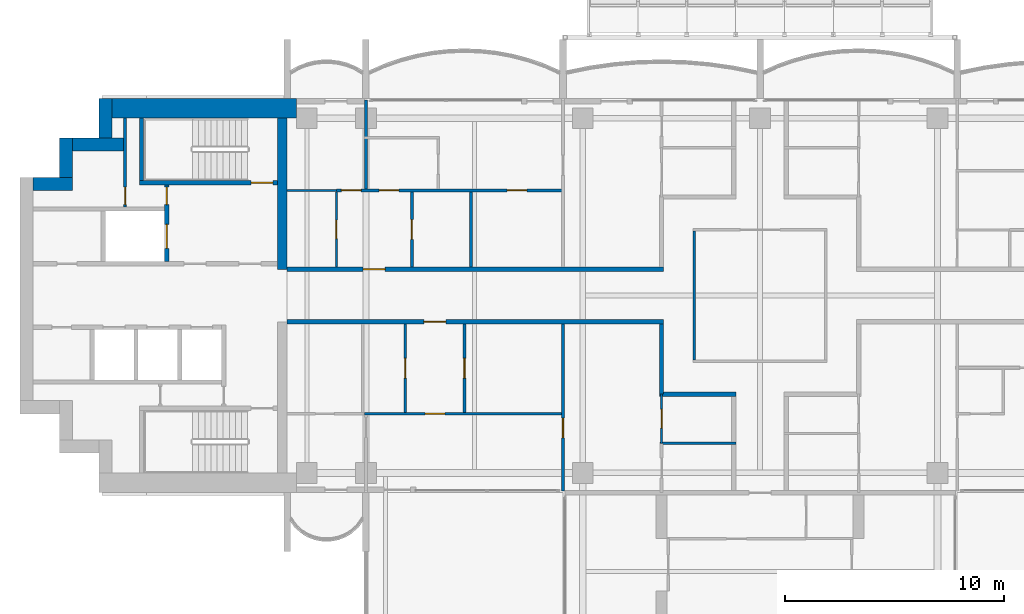
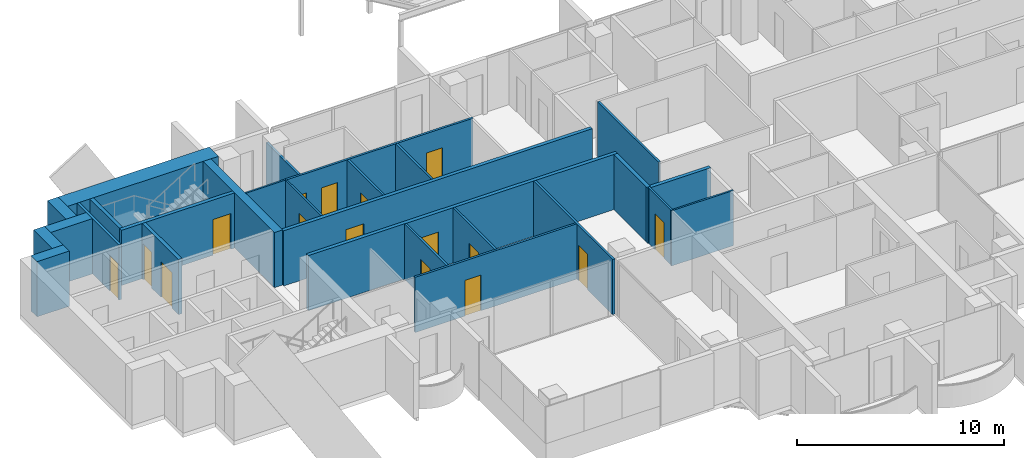
# One storey, part 11 of 20: 27 walls, 16 doors, 16 openings.
"""IFC4 building model written with IfcOpenShell, lengths in metres."""

from ifc_helpers import new_model, si_unit, direction, frame, frame_2d, origin, place, context, subcontext, project, spatial, rectangle, extrude, material, layer, layer_set, type_object, element, fill, save


model = new_model("IFC4")

# Units and contexts
model_context = context("Model", 3, precision=1e-05, world=origin(), true_north=direction((0.0, 1.0)))
body_context = subcontext(model_context, "Body", "Model", "MODEL_VIEW")
ifc_project = project(units=[si_unit("LENGTHUNIT", "METRE"), si_unit("AREAUNIT", "SQUARE_METRE"), si_unit("VOLUMEUNIT", "CUBIC_METRE"), si_unit("PLANEANGLEUNIT", "RADIAN"), si_unit("MASSUNIT", "GRAM", prefix="KILO")], contexts=[model_context])

# Site, building, storey
site_placement = place(None, origin())
site = spatial("IfcSite", under=ifc_project, at=site_placement, CompositionType="ELEMENT")
building_placement = place(site_placement, origin())
building = spatial("IfcBuilding", under=site, at=building_placement, Name="Perihelion Cross Residences", CompositionType="ELEMENT")
storey_placement = place(building_placement, frame((0.0, 0.0, 170.10009765625)))
storey = spatial("IfcBuildingStorey", under=building, at=storey_placement, Name="L41", CompositionType="ELEMENT", Elevation=170.10009765625)

# Wall, opening, door
ifc_material_1 = material(Name="Plasterboard partition")
ifc_layer_1 = layer(ifc_material_1, 0.199951171875)
ifc_layer_set_1 = layer_set([ifc_layer_1], Name="Apartment separation wall 200")
wall_type_1 = type_object("IfcWallType", Name="Apartment separation wall 200", PredefinedType="PARTITIONING", material=ifc_layer_set_1)
wall_1_placement = place(storey_placement, frame((-21.60009765625, 1.199951171875, 0.0), z_axis=(0.0, 0.0, 1.0), x_axis=(1.0, 0.0, 0.0)))
wall_1 = element("IfcWall", 1, at=wall_1_placement, inside=storey, type_object=wall_type_1, Name="Partition L41 W013", PredefinedType="PARTITIONING", context=body_context, shape_type="SweptSolid", body=[
    extrude(rectangle(XDim=17.2001953125, YDim=0.199951171875, at=frame_2d((8.60009765625, 0.0))), origin(), (0.0, 0.0, 1.0), 3.25),
])
opening_1_placement = place(wall_1_placement, frame((3.47509765625, 0.0, 0.0)))
opening_1 = element("IfcOpeningElement", 2, at=opening_1_placement, cuts=wall_1, Name="Opening L41.A47", PredefinedType="OPENING", context=body_context, shape_type="SweptSolid", body=[
    extrude(rectangle(XDim=1.0, YDim=2.10009765625, at=frame_2d((0.5, 1.050048828125))), frame((0.0, 0.10986328125, 0.0), z_axis=(0.0, -1.0, 0.0), x_axis=(1.0, 0.0, 0.0)), (0.0, 0.0, 1.0), 0.219970703125),
])
ifc_material_2 = material(Name="Timber door leaf", Category="wood")
door_type_1 = type_object("IfcDoorType", Name="Flat entrance door 1000 x 2100", OperationType="SINGLE_SWING_LEFT", PredefinedType="DOOR", material=ifc_material_2)
door_1_placement = place(opening_1_placement, origin())
door_1 = element("IfcDoor", 3, at=door_1_placement, inside=storey, type_object=door_type_1, Name="Door L41.A47", OperationType="SINGLE_SWING_LEFT", OverallHeight=2.10009765625, OverallWidth=1.0, PredefinedType="DOOR", context=body_context, shape_type="SweptSolid", body=[
    extrude(rectangle(XDim=1.0, YDim=2.10009765625, at=frame_2d((0.5, 1.050048828125))), frame((0.0, 0.02490234375, 0.0), z_axis=(0.0, -1.0, 0.0), x_axis=(1.0, 0.0, 0.0)), (0.0, 0.0, 1.0), 0.050048828125),
])
fill(opening_1, door_1)

wall_2_placement = place(storey_placement, frame((-4.39990234375, -1.199951171875, 0.0), z_axis=(0.0, 0.0, 1.0), x_axis=(-1.0, 0.0, 0.0)))
wall_2 = element("IfcWall", 4, at=wall_2_placement, inside=storey, type_object=wall_type_1, Name="Partition L41 W017", PredefinedType="PARTITIONING", context=body_context, shape_type="SweptSolid", body=[
    extrude(rectangle(XDim=17.2001953125, YDim=0.199951171875, at=frame_2d((8.60009765625, 0.0))), origin(), (0.0, 0.0, 1.0), 3.25),
])
opening_2_placement = place(wall_2_placement, frame((9.949951171875, 0.0, 0.0)))
opening_2 = element("IfcOpeningElement", 5, at=opening_2_placement, cuts=wall_2, Name="Opening L41.A48", PredefinedType="OPENING", context=body_context, shape_type="SweptSolid", body=[
    extrude(rectangle(XDim=1.0, YDim=2.10009765625, at=frame_2d((0.5, 1.050048828125))), frame((0.0, 0.10986328125, 0.0), z_axis=(0.0, -1.0, 0.0), x_axis=(1.0, 0.0, 0.0)), (0.0, 0.0, 1.0), 0.219970703125),
])
door_2_placement = place(opening_2_placement, origin())
door_2 = element("IfcDoor", 6, at=door_2_placement, inside=storey, type_object=door_type_1, Name="Door L41.A48", OperationType="SINGLE_SWING_LEFT", OverallHeight=2.10009765625, OverallWidth=1.0, PredefinedType="DOOR", context=body_context, shape_type="SweptSolid", body=[
    extrude(rectangle(XDim=1.0, YDim=2.10009765625, at=frame_2d((0.5, 1.050048828125))), frame((0.0, 0.02490234375, 0.0), z_axis=(0.0, -1.0, 0.0), x_axis=(1.0, 0.0, 0.0)), (0.0, 0.0, 1.0), 0.050048828125),
])
fill(opening_2, door_2)

# Walls
wall_3_placement = place(storey_placement, frame((-4.5, -4.5, 0.0), z_axis=(0.0, 0.0, 1.0), x_axis=(0.0, 1.0, 0.0)))
element("IfcWall", 7, at=wall_3_placement, inside=storey, type_object=wall_type_1, Name="Partition L41 W018", PredefinedType="PARTITIONING", context=body_context, shape_type="SweptSolid", body=[
    extrude(rectangle(XDim=3.199951171875, YDim=0.199951171875, at=frame_2d((1.60009765625, 0.0))), origin(), (0.0, 0.0, 1.0), 3.25),
])
wall_4_placement = place(storey_placement, frame((-1.10009765625, -4.5, 0.0), z_axis=(0.0, 0.0, 1.0), x_axis=(-1.0, 0.0, 0.0)))
element("IfcWall", 8, at=wall_4_placement, inside=storey, type_object=wall_type_1, Name="Partition L41 W020", PredefinedType="PARTITIONING", context=body_context, shape_type="SweptSolid", body=[
    extrude(rectangle(XDim=3.5, YDim=0.199951171875, at=frame_2d((1.75, 0.0))), origin(), (0.0, 0.0, 1.0), 3.25),
])
ifc_material_3 = material(Name="Concrete C60/75", Category="concrete")
ifc_layer_2 = layer(ifc_material_3, 0.449951171875)
ifc_layer_set_2 = layer_set([ifc_layer_2], Name="Core wall, inner 450")
wall_type_2 = type_object("IfcWallType", Name="Core wall, inner 450", PredefinedType="SHEAR", material=ifc_layer_set_2)
wall_5_placement = place(storey_placement, frame((-21.824951171875, 1.199951171875, 0.0), z_axis=(0.0, 0.0, 1.0), x_axis=(0.0, 1.0, 0.0)))
element("IfcWall", 9, at=wall_5_placement, inside=storey, type_object=wall_type_2, Name="West core core wall, inner", PredefinedType="SHEAR", context=body_context, shape_type="SweptSolid", body=[
    extrude(rectangle(XDim=6.900146484375, YDim=0.449951171875, at=frame_2d((3.4501953125, 0.0))), origin(), (0.0, 0.0, 1.0), 3.25),
])
ifc_material_4 = material(Name="Concrete C60/75", Category="concrete")
ifc_layer_3 = layer(ifc_material_4, 0.60009765625)
ifc_layer_set_3 = layer_set([ifc_layer_3], Name="Core wall, outer 600")
wall_type_3 = type_object("IfcWallType", Name="Core wall, outer 600", PredefinedType="SHEAR", material=ifc_layer_set_3)
for number, where, z_axis, x_axis, name in (
    (10, (-33.199951171875, 5.10009765625, 0.0), (0.0, 0.0, 1.0), (1.0, 0.0, 0.0), "West core core wall, outer"),
    (11, (-31.699951171875, 5.39990234375, 0.0), (0.0, 0.0, 1.0), (0.0, 1.0, 0.0), "West core core wall, outer"),
):
    element("IfcWall", number, at=place(storey_placement, frame(where, z_axis=z_axis, x_axis=x_axis)), inside=storey, type_object=wall_type_3, Name=name, PredefinedType="SHEAR", context=body_context, shape_type="SweptSolid", body=[
        extrude(rectangle(XDim=1.800048828125, YDim=0.60009765625, at=frame_2d((0.89990234375, 0.0))), origin(), (0.0, 0.0, 1.0), 3.25),
    ])
wall_6_placement = place(storey_placement, frame((-31.39990234375, 6.89990234375, 0.0), z_axis=(0.0, 0.0, 1.0), x_axis=(1.0, 0.0, 0.0)))
element("IfcWall", 12, at=wall_6_placement, inside=storey, type_object=wall_type_3, Name="West core core wall, outer", PredefinedType="SHEAR", context=body_context, shape_type="SweptSolid", body=[
    extrude(rectangle(XDim=2.324951171875, YDim=0.60009765625, at=frame_2d((1.16259765625, 0.0))), origin(), (0.0, 0.0, 1.0), 3.25),
])
wall_7_placement = place(storey_placement, frame((-29.89990234375, 7.199951171875, 0.0), z_axis=(0.0, 0.0, 1.0), x_axis=(0.0, 1.0, 0.0)))
element("IfcWall", 13, at=wall_7_placement, inside=storey, type_object=wall_type_3, Name="West core core wall, outer", PredefinedType="SHEAR", context=body_context, shape_type="SweptSolid", body=[
    extrude(rectangle(XDim=1.800048828125, YDim=0.60009765625, at=frame_2d((0.89990234375, 0.0))), origin(), (0.0, 0.0, 1.0), 3.25),
])
ifc_material_5 = material(Name="Concrete C60/75", Category="concrete")
ifc_layer_4 = layer(ifc_material_5, 0.89990234375)
ifc_layer_set_4 = layer_set([ifc_layer_4], Name="Core wall, outer 900")
wall_type_4 = type_object("IfcWallType", Name="Core wall, outer 900", PredefinedType="SHEAR", material=ifc_layer_set_4)
wall_8_placement = place(storey_placement, frame((-29.60009765625, 8.550048828125, 0.0), z_axis=(0.0, 0.0, 1.0), x_axis=(1.0, 0.0, 0.0)))
element("IfcWall", 14, at=wall_8_placement, inside=storey, type_object=wall_type_4, Name="West core core wall, outer", PredefinedType="SHEAR", context=body_context, shape_type="SweptSolid", body=[
    extrude(rectangle(XDim=8.425048828125, YDim=0.89990234375, at=frame_2d((4.21240234375, 0.0))), origin(), (0.0, 0.0, 1.0), 3.25),
])
ifc_material_6 = material(Name="Plasterboard partition")
ifc_layer_5 = layer(ifc_material_6, 0.1201171875)
ifc_layer_set_5 = layer_set([ifc_layer_5], Name="Partition wall 120")
wall_type_5 = type_object("IfcWallType", Name="Partition wall 120", PredefinedType="PARTITIONING", material=ifc_layer_set_5)
wall_9_placement = place(storey_placement, frame((-3.0, 2.93994140625, 0.0), z_axis=(0.0, 0.0, 1.0), x_axis=(0.0, -1.0, 0.0)))
element("IfcWall", 15, at=wall_9_placement, inside=storey, type_object=wall_type_5, Name="Partition L41 W004", PredefinedType="PARTITIONING", context=body_context, shape_type="SweptSolid", body=[
    extrude(rectangle(XDim=5.8798828125, YDim=0.1201171875, at=frame_2d((2.93994140625, 0.0))), origin(), (0.0, 0.0, 1.0), 3.25),
])
wall_10_placement = place(storey_placement, frame((-13.199951171875, 1.300048828125, 0.0), z_axis=(0.0, 0.0, 1.0), x_axis=(0.0, 1.0, 0.0)))
element("IfcWall", 16, at=wall_10_placement, inside=storey, type_object=wall_type_5, Name="Partition L41 W051", PredefinedType="PARTITIONING", context=body_context, shape_type="SweptSolid", body=[
    extrude(rectangle(XDim=3.43994140625, YDim=0.1201171875, at=frame_2d((1.719970703125, 0.0))), origin(), (0.0, 0.0, 1.0), 3.25),
])

# Wall, openings, doors
wall_11_placement = place(storey_placement, frame((-19.35009765625, 4.800048828125, 0.0), z_axis=(0.0, 0.0, 1.0), x_axis=(1.0, 0.0, 0.0)))
wall_11 = element("IfcWall", 17, at=wall_11_placement, inside=storey, type_object=wall_type_5, Name="Partition L41 W052", PredefinedType="PARTITIONING", context=body_context, shape_type="SweptSolid", body=[
    extrude(rectangle(XDim=10.41015625, YDim=0.1201171875, at=frame_2d((5.205078125, 0.0))), origin(), (0.0, 0.0, 1.0), 3.25),
])
opening_3_placement = place(wall_11_placement, frame((1.949951171875, 0.0, 0.0)))
opening_3 = element("IfcOpeningElement", 18, at=opening_3_placement, cuts=wall_11, Name="Opening L41.A25", PredefinedType="OPENING", context=body_context, shape_type="SweptSolid", body=[
    extrude(rectangle(XDim=0.89990234375, YDim=2.10009765625, at=frame_2d((0.449951171875, 1.050048828125))), frame((0.0, 0.070068359375, 0.0), z_axis=(0.0, -1.0, 0.0), x_axis=(1.0, 0.0, 0.0)), (0.0, 0.0, 1.0), 0.14013671875),
])
opening_4_placement = place(wall_11_placement, frame((7.800048828125, 0.0, 0.0)))
opening_4 = element("IfcOpeningElement", 19, at=opening_4_placement, cuts=wall_11, Name="Opening L41.A26", PredefinedType="OPENING", context=body_context, shape_type="SweptSolid", body=[
    extrude(rectangle(XDim=0.89990234375, YDim=2.10009765625, at=frame_2d((0.449951171875, 1.050048828125))), frame((0.0, 0.070068359375, 0.0), z_axis=(0.0, -1.0, 0.0), x_axis=(1.0, 0.0, 0.0)), (0.0, 0.0, 1.0), 0.14013671875),
])
opening_5_placement = place(wall_11_placement, frame((0.22509765625, 0.0, 0.0)))
opening_5 = element("IfcOpeningElement", 20, at=opening_5_placement, cuts=wall_11, Name="Opening L41.A30", PredefinedType="OPENING", context=body_context, shape_type="SweptSolid", body=[
    extrude(rectangle(XDim=0.89990234375, YDim=2.10009765625, at=frame_2d((0.449951171875, 1.050048828125))), frame((0.0, 0.070068359375, 0.0), z_axis=(0.0, -1.0, 0.0), x_axis=(1.0, 0.0, 0.0)), (0.0, 0.0, 1.0), 0.14013671875),
])
ifc_material_7 = material(Name="Timber door leaf", Category="wood")
door_type_2 = type_object("IfcDoorType", Name="Interior room door 900 x 2100", OperationType="SINGLE_SWING_LEFT", PredefinedType="DOOR", material=ifc_material_7)
door_3_placement = place(opening_3_placement, origin())
door_3 = element("IfcDoor", 21, at=door_3_placement, inside=storey, type_object=door_type_2, Name="Door L41.A25", OperationType="SINGLE_SWING_RIGHT", OverallHeight=2.10009765625, OverallWidth=0.89990234375, PredefinedType="DOOR", context=body_context, shape_type="SweptSolid", body=[
    extrude(rectangle(XDim=0.89990234375, YDim=2.10009765625, at=frame_2d((0.449951171875, 1.050048828125))), frame((0.0, 0.02490234375, 0.0), z_axis=(0.0, -1.0, 0.0), x_axis=(1.0, 0.0, 0.0)), (0.0, 0.0, 1.0), 0.050048828125),
])
fill(opening_3, door_3)
door_4_placement = place(opening_4_placement, origin())
door_4 = element("IfcDoor", 22, at=door_4_placement, inside=storey, type_object=door_type_2, Name="Door L41.A26", OperationType="SINGLE_SWING_LEFT", OverallHeight=2.10009765625, OverallWidth=0.89990234375, PredefinedType="DOOR", context=body_context, shape_type="SweptSolid", body=[
    extrude(rectangle(XDim=0.89990234375, YDim=2.10009765625, at=frame_2d((0.449951171875, 1.050048828125))), frame((0.0, 0.02490234375, 0.0), z_axis=(0.0, -1.0, 0.0), x_axis=(1.0, 0.0, 0.0)), (0.0, 0.0, 1.0), 0.050048828125),
])
fill(opening_4, door_4)
door_5_placement = place(opening_5_placement, origin())
door_5 = element("IfcDoor", 23, at=door_5_placement, inside=storey, type_object=door_type_2, Name="Door L41.A30", OperationType="SINGLE_SWING_LEFT", OverallHeight=2.10009765625, OverallWidth=0.89990234375, PredefinedType="DOOR", context=body_context, shape_type="SweptSolid", body=[
    extrude(rectangle(XDim=0.89990234375, YDim=2.10009765625, at=frame_2d((0.449951171875, 1.050048828125))), frame((0.0, 0.02490234375, 0.0), z_axis=(0.0, -1.0, 0.0), x_axis=(1.0, 0.0, 0.0)), (0.0, 0.0, 1.0), 0.050048828125),
])
fill(opening_5, door_5)

# Wall, opening, door
wall_12_placement = place(storey_placement, frame((-15.89990234375, 1.300048828125, 0.0), z_axis=(0.0, 0.0, 1.0), x_axis=(0.0, 1.0, 0.0)))
wall_12 = element("IfcWall", 24, at=wall_12_placement, inside=storey, type_object=wall_type_5, Name="Partition L41 W054", PredefinedType="PARTITIONING", context=body_context, shape_type="SweptSolid", body=[
    extrude(rectangle(XDim=3.43994140625, YDim=0.1201171875, at=frame_2d((1.719970703125, 0.0))), origin(), (0.0, 0.0, 1.0), 3.25),
])
opening_6_placement = place(wall_12_placement, frame((1.27001953125, 0.0, 0.0)))
opening_6 = element("IfcOpeningElement", 25, at=opening_6_placement, cuts=wall_12, Name="Opening L41.A28", PredefinedType="OPENING", context=body_context, shape_type="SweptSolid", body=[
    extrude(rectangle(XDim=0.89990234375, YDim=2.10009765625, at=frame_2d((0.449951171875, 1.050048828125))), frame((0.0, 0.070068359375, 0.0), z_axis=(0.0, -1.0, 0.0), x_axis=(1.0, 0.0, 0.0)), (0.0, 0.0, 1.0), 0.14013671875),
])
door_6_placement = place(opening_6_placement, origin())
door_6 = element("IfcDoor", 26, at=door_6_placement, inside=storey, type_object=door_type_2, Name="Door L41.A28", OperationType="SINGLE_SWING_LEFT", OverallHeight=2.10009765625, OverallWidth=0.89990234375, PredefinedType="DOOR", context=body_context, shape_type="SweptSolid", body=[
    extrude(rectangle(XDim=0.89990234375, YDim=2.10009765625, at=frame_2d((0.449951171875, 1.050048828125))), frame((0.0, 0.02490234375, 0.0), z_axis=(0.0, -1.0, 0.0), x_axis=(1.0, 0.0, 0.0)), (0.0, 0.0, 1.0), 0.050048828125),
])
fill(opening_6, door_6)

# Wall
wall_13_placement = place(storey_placement, frame((-18.0, 4.860107421875, 0.0), z_axis=(0.0, 0.0, 1.0), x_axis=(0.0, 1.0, 0.0)))
element("IfcWall", 27, at=wall_13_placement, inside=storey, type_object=wall_type_5, Name="Partition L41 W059", PredefinedType="PARTITIONING", context=body_context, shape_type="SweptSolid", body=[
    extrude(rectangle(XDim=4.059814453125, YDim=0.1201171875, at=frame_2d((2.02978515625, 0.0))), origin(), (0.0, 0.0, 1.0), 2.47998046875),
])

# Wall, opening, door
wall_14_placement = place(storey_placement, frame((-13.5, -5.340087890625, 0.0), z_axis=(0.0, 0.0, 1.0), x_axis=(0.0, 1.0, 0.0)))
wall_14 = element("IfcWall", 28, at=wall_14_placement, inside=storey, type_object=wall_type_5, Name="Partition L41 W063", PredefinedType="PARTITIONING", context=body_context, shape_type="SweptSolid", body=[
    extrude(rectangle(XDim=4.0400390625, YDim=0.1201171875, at=frame_2d((2.02001953125, 0.0))), origin(), (0.0, 0.0, 1.0), 3.25),
])
opening_7_placement = place(wall_14_placement, frame((1.570068359375, 0.0, 0.0)))
opening_7 = element("IfcOpeningElement", 29, at=opening_7_placement, cuts=wall_14, Name="Opening L41.A32", PredefinedType="OPENING", context=body_context, shape_type="SweptSolid", body=[
    extrude(rectangle(XDim=0.89990234375, YDim=2.10009765625, at=frame_2d((0.449951171875, 1.050048828125))), frame((0.0, 0.070068359375, 0.0), z_axis=(0.0, -1.0, 0.0), x_axis=(1.0, 0.0, 0.0)), (0.0, 0.0, 1.0), 0.14013671875),
])
door_7_placement = place(opening_7_placement, origin())
door_7 = element("IfcDoor", 30, at=door_7_placement, inside=storey, type_object=door_type_2, Name="Door L41.A32", OperationType="SINGLE_SWING_LEFT", OverallHeight=2.10009765625, OverallWidth=0.89990234375, PredefinedType="DOOR", context=body_context, shape_type="SweptSolid", body=[
    extrude(rectangle(XDim=0.89990234375, YDim=2.10009765625, at=frame_2d((0.449951171875, 1.050048828125))), frame((0.0, 0.02490234375, 0.0), z_axis=(0.0, -1.0, 0.0), x_axis=(1.0, 0.0, 0.0)), (0.0, 0.0, 1.0), 0.050048828125),
])
fill(opening_7, door_7)

wall_15_placement = place(storey_placement, frame((-8.93994140625, -5.39990234375, 0.0), z_axis=(0.0, 0.0, 1.0), x_axis=(-1.0, 0.0, 0.0)))
wall_15 = element("IfcWall", 31, at=wall_15_placement, inside=storey, type_object=wall_type_5, Name="Partition L41 W064", PredefinedType="PARTITIONING", context=body_context, shape_type="SweptSolid", body=[
    extrude(rectangle(XDim=9.1201171875, YDim=0.1201171875, at=frame_2d((4.56005859375, 0.0))), origin(), (0.0, 0.0, 1.0), 3.25),
])
opening_8_placement = place(wall_15_placement, frame((5.4599609375, 0.0, 0.0)))
opening_8 = element("IfcOpeningElement", 32, at=opening_8_placement, cuts=wall_15, Name="Opening L41.A38", PredefinedType="OPENING", context=body_context, shape_type="SweptSolid", body=[
    extrude(rectangle(XDim=0.89990234375, YDim=2.10009765625, at=frame_2d((0.449951171875, 1.050048828125))), frame((0.0, 0.070068359375, 0.0), z_axis=(0.0, -1.0, 0.0), x_axis=(1.0, 0.0, 0.0)), (0.0, 0.0, 1.0), 0.14013671875),
])
door_8_placement = place(opening_8_placement, origin())
door_8 = element("IfcDoor", 33, at=door_8_placement, inside=storey, type_object=door_type_2, Name="Door L41.A38", OperationType="SINGLE_SWING_RIGHT", OverallHeight=2.10009765625, OverallWidth=0.89990234375, PredefinedType="DOOR", context=body_context, shape_type="SweptSolid", body=[
    extrude(rectangle(XDim=0.89990234375, YDim=2.10009765625, at=frame_2d((0.449951171875, 1.050048828125))), frame((0.0, 0.02490234375, 0.0), z_axis=(0.0, -1.0, 0.0), x_axis=(1.0, 0.0, 0.0)), (0.0, 0.0, 1.0), 0.050048828125),
])
fill(opening_8, door_8)

wall_16_placement = place(storey_placement, frame((-9.0, -1.300048828125, 0.0), z_axis=(0.0, 0.0, 1.0), x_axis=(0.0, -1.0, 0.0)))
wall_16 = element("IfcWall", 34, at=wall_16_placement, inside=storey, type_object=wall_type_5, Name="Partition L41 W065", PredefinedType="PARTITIONING", context=body_context, shape_type="SweptSolid", body=[
    extrude(rectangle(XDim=7.619873046875, YDim=0.1201171875, at=frame_2d((3.81005859375, 0.0))), origin(), (0.0, 0.0, 1.0), 3.25),
])
opening_9_placement = place(wall_16_placement, frame((4.300048828125, 0.0, 0.0)))
opening_9 = element("IfcOpeningElement", 35, at=opening_9_placement, cuts=wall_16, Name="Opening L41.A34", PredefinedType="OPENING", context=body_context, shape_type="SweptSolid", body=[
    extrude(rectangle(XDim=0.89990234375, YDim=2.10009765625, at=frame_2d((0.449951171875, 1.050048828125))), frame((0.0, 0.070068359375, 0.0), z_axis=(0.0, -1.0, 0.0), x_axis=(1.0, 0.0, 0.0)), (0.0, 0.0, 1.0), 0.14013671875),
])
door_9_placement = place(opening_9_placement, origin())
door_9 = element("IfcDoor", 36, at=door_9_placement, inside=storey, type_object=door_type_2, Name="Door L41.A34", OperationType="SINGLE_SWING_RIGHT", OverallHeight=2.10009765625, OverallWidth=0.89990234375, PredefinedType="DOOR", context=body_context, shape_type="SweptSolid", body=[
    extrude(rectangle(XDim=0.89990234375, YDim=2.10009765625, at=frame_2d((0.449951171875, 1.050048828125))), frame((0.0, 0.02490234375, 0.0), z_axis=(0.0, -1.0, 0.0), x_axis=(1.0, 0.0, 0.0)), (0.0, 0.0, 1.0), 0.050048828125),
])
fill(opening_9, door_9)

wall_17_placement = place(storey_placement, frame((-16.199951171875, -5.340087890625, 0.0), z_axis=(0.0, 0.0, 1.0), x_axis=(0.0, 1.0, 0.0)))
wall_17 = element("IfcWall", 37, at=wall_17_placement, inside=storey, type_object=wall_type_5, Name="Partition L41 W066", PredefinedType="PARTITIONING", context=body_context, shape_type="SweptSolid", body=[
    extrude(rectangle(XDim=4.0400390625, YDim=0.1201171875, at=frame_2d((2.02001953125, 0.0))), origin(), (0.0, 0.0, 1.0), 3.25),
])
opening_10_placement = place(wall_17_placement, frame((1.570068359375, 0.0, 0.0)))
opening_10 = element("IfcOpeningElement", 38, at=opening_10_placement, cuts=wall_17, Name="Opening L41.A31", PredefinedType="OPENING", context=body_context, shape_type="SweptSolid", body=[
    extrude(rectangle(XDim=0.89990234375, YDim=2.10009765625, at=frame_2d((0.449951171875, 1.050048828125))), frame((0.0, 0.070068359375, 0.0), z_axis=(0.0, -1.0, 0.0), x_axis=(1.0, 0.0, 0.0)), (0.0, 0.0, 1.0), 0.14013671875),
])
door_10_placement = place(opening_10_placement, origin())
door_10 = element("IfcDoor", 39, at=door_10_placement, inside=storey, type_object=door_type_2, Name="Door L41.A31", OperationType="SINGLE_SWING_RIGHT", OverallHeight=2.10009765625, OverallWidth=0.89990234375, PredefinedType="DOOR", context=body_context, shape_type="SweptSolid", body=[
    extrude(rectangle(XDim=0.89990234375, YDim=2.10009765625, at=frame_2d((0.449951171875, 1.050048828125))), frame((0.0, 0.02490234375, 0.0), z_axis=(0.0, -1.0, 0.0), x_axis=(1.0, 0.0, 0.0)), (0.0, 0.0, 1.0), 0.050048828125),
])
fill(opening_10, door_10)

ifc_material_8 = material(Name="Fire-rated board on steel stud", Category="steel")
ifc_layer_6 = layer(ifc_material_8, 0.14990234375)
ifc_layer_set_6 = layer_set([ifc_layer_6], Name="Riser wall 150")
wall_type_6 = type_object("IfcWallType", Name="Riser wall 150", PredefinedType="PARTITIONING", material=ifc_layer_set_6)
wall_18_placement = place(storey_placement, frame((-29.0, 4.050048828125, 0.0), z_axis=(0.0, 0.0, 1.0), x_axis=(0.0, 1.0, 0.0)))
wall_18 = element("IfcWall", 40, at=wall_18_placement, inside=storey, type_object=wall_type_6, Name="West core riser wall", PredefinedType="PARTITIONING", context=body_context, shape_type="SweptSolid", body=[
    extrude(rectangle(XDim=4.050048828125, YDim=0.14990234375, at=frame_2d((2.02490234375, 0.0))), origin(), (0.0, 0.0, 1.0), 3.25),
])
opening_11_placement = place(wall_18_placement, frame((0.10009765625, 0.0, 0.0)))
opening_11 = element("IfcOpeningElement", 41, at=opening_11_placement, cuts=wall_18, Name="Opening L41.C26", PredefinedType="OPENING", context=body_context, shape_type="SweptSolid", body=[
    extrude(rectangle(XDim=0.800048828125, YDim=2.10009765625, at=frame_2d((0.39990234375, 1.050048828125))), frame((0.0, 0.0849609375, 0.0), z_axis=(0.0, -1.0, 0.0), x_axis=(1.0, 0.0, 0.0)), (0.0, 0.0, 1.0), 0.169921875),
])
ifc_material_9 = material(Name="Steel, powder coated", Category="steel")
door_type_3 = type_object("IfcDoorType", Name="Riser door 800", OperationType="SINGLE_SWING_LEFT", PredefinedType="DOOR", material=ifc_material_9)
door_11_placement = place(opening_11_placement, origin())
door_11 = element("IfcDoor", 42, at=door_11_placement, inside=storey, type_object=door_type_3, Name="West core riser door", OperationType="SINGLE_SWING_LEFT", OverallHeight=2.10009765625, OverallWidth=0.800048828125, PredefinedType="DOOR", context=body_context, shape_type="SweptSolid", body=[
    extrude(rectangle(XDim=0.800048828125, YDim=2.10009765625, at=frame_2d((0.39990234375, 1.050048828125))), frame((0.0, 0.02490234375, 0.0), z_axis=(0.0, -1.0, 0.0), x_axis=(1.0, 0.0, 0.0)), (0.0, 0.0, 1.0), 0.050048828125),
])
fill(opening_11, door_11)

# Wall, openings, doors
ifc_material_10 = material(Name="Concrete C50/60", Category="concrete")
ifc_layer_7 = layer(ifc_material_10, 0.199951171875)
ifc_layer_set_7 = layer_set([ifc_layer_7], Name="Shaft wall 200")
wall_type_7 = type_object("IfcWallType", Name="Shaft wall 200", PredefinedType="SOLIDWALL", material=ifc_layer_set_7)
wall_19_placement = place(storey_placement, frame((-27.10009765625, 1.550048828125, 0.0), z_axis=(0.0, 0.0, 1.0), x_axis=(0.0, 1.0, 0.0)))
wall_19 = element("IfcWall", 43, at=wall_19_placement, inside=storey, type_object=wall_type_7, Name="West core shaft wall", PredefinedType="SOLIDWALL", context=body_context, shape_type="SweptSolid", body=[
    extrude(rectangle(XDim=3.5, YDim=0.199951171875, at=frame_2d((1.75, 0.0))), origin(), (0.0, 0.0, 1.0), 3.25),
])
opening_12_placement = place(wall_19_placement, frame((0.60009765625, 0.0, 0.0)))
opening_12 = element("IfcOpeningElement", 44, at=opening_12_placement, cuts=wall_19, Name="Opening L41.C16", PredefinedType="OPENING", context=body_context, shape_type="SweptSolid", body=[
    extrude(rectangle(XDim=1.10009765625, YDim=2.10009765625, at=frame_2d((0.550048828125, 1.050048828125))), frame((0.0, 0.10986328125, 0.0), z_axis=(0.0, -1.0, 0.0), x_axis=(1.0, 0.0, 0.0)), (0.0, 0.0, 1.0), 0.219970703125),
])
opening_13_placement = place(wall_19_placement, frame((2.60009765625, 0.0, 0.0)))
opening_13 = element("IfcOpeningElement", 45, at=opening_13_placement, cuts=wall_19, Name="Opening L41.C24", PredefinedType="OPENING", context=body_context, shape_type="SweptSolid", body=[
    extrude(rectangle(XDim=0.800048828125, YDim=2.10009765625, at=frame_2d((0.39990234375, 1.050048828125))), frame((0.0, 0.10986328125, 0.0), z_axis=(0.0, -1.0, 0.0), x_axis=(1.0, 0.0, 0.0)), (0.0, 0.0, 1.0), 0.219970703125),
])
ifc_material_11 = material(Name="Stainless steel", Category="steel")
door_type_4 = type_object("IfcDoorType", Name="Landing door, firefighting lift 1100", OperationType="DOUBLE_DOOR_SLIDING", PredefinedType="DOOR", material=ifc_material_11)
door_12_placement = place(opening_12_placement, origin())
door_12 = element("IfcDoor", 46, at=door_12_placement, inside=storey, type_object=door_type_4, Name="Landing door, West core firefighting and service lift", OperationType="DOUBLE_DOOR_SLIDING", OverallHeight=2.10009765625, OverallWidth=1.10009765625, PredefinedType="DOOR", context=body_context, shape_type="SweptSolid", body=[
    extrude(rectangle(XDim=1.10009765625, YDim=2.10009765625, at=frame_2d((0.550048828125, 1.050048828125))), frame((0.0, 0.02490234375, 0.0), z_axis=(0.0, -1.0, 0.0), x_axis=(1.0, 0.0, 0.0)), (0.0, 0.0, 1.0), 0.050048828125),
])
fill(opening_12, door_12)
door_13_placement = place(opening_13_placement, origin())
door_13 = element("IfcDoor", 47, at=door_13_placement, inside=storey, type_object=door_type_3, Name="West core riser door", OperationType="SINGLE_SWING_LEFT", OverallHeight=2.10009765625, OverallWidth=0.800048828125, PredefinedType="DOOR", context=body_context, shape_type="SweptSolid", body=[
    extrude(rectangle(XDim=0.800048828125, YDim=2.10009765625, at=frame_2d((0.39990234375, 1.050048828125))), frame((0.0, 0.02490234375, 0.0), z_axis=(0.0, -1.0, 0.0), x_axis=(1.0, 0.0, 0.0)), (0.0, 0.0, 1.0), 0.050048828125),
])
fill(opening_13, door_13)

# Wall, opening, door
ifc_material_12 = material(Name="Concrete C50/60", Category="concrete")
ifc_layer_8 = layer(ifc_material_12, 0.199951171875)
ifc_layer_set_8 = layer_set([ifc_layer_8], Name="Stair wall 200")
wall_type_8 = type_object("IfcWallType", Name="Stair wall 200", PredefinedType="SOLIDWALL", material=ifc_layer_set_8)
wall_20_placement = place(storey_placement, frame((-28.35009765625, 5.14990234375, 0.0), z_axis=(0.0, 0.0, 1.0), x_axis=(1.0, 0.0, 0.0)))
wall_20 = element("IfcWall", 48, at=wall_20_placement, inside=storey, type_object=wall_type_8, Name="West core stair wall", PredefinedType="SOLIDWALL", context=body_context, shape_type="SweptSolid", body=[
    extrude(rectangle(XDim=6.300048828125, YDim=0.199951171875, at=frame_2d((3.14990234375, 0.0))), origin(), (0.0, 0.0, 1.0), 3.25),
])
opening_14_placement = place(wall_20_placement, frame((5.10009765625, 0.0, 0.0)))
opening_14 = element("IfcOpeningElement", 49, at=opening_14_placement, cuts=wall_20, Name="Opening L41.C20", PredefinedType="OPENING", context=body_context, shape_type="SweptSolid", body=[
    extrude(rectangle(XDim=1.0, YDim=2.10009765625, at=frame_2d((0.5, 1.050048828125))), frame((0.0, 0.10986328125, 0.0), z_axis=(0.0, -1.0, 0.0), x_axis=(1.0, 0.0, 0.0)), (0.0, 0.0, 1.0), 0.219970703125),
])
ifc_material_13 = material(Name="Steel, powder coated", Category="steel")
door_type_5 = type_object("IfcDoorType", Name="Stair door 1000", OperationType="SINGLE_SWING_LEFT", PredefinedType="DOOR", material=ifc_material_13)
door_14_placement = place(opening_14_placement, origin())
door_14 = element("IfcDoor", 50, at=door_14_placement, inside=storey, type_object=door_type_5, Name="West core stair door", OperationType="SINGLE_SWING_LEFT", OverallHeight=2.10009765625, OverallWidth=1.0, PredefinedType="DOOR", context=body_context, shape_type="SweptSolid", body=[
    extrude(rectangle(XDim=1.0, YDim=2.10009765625, at=frame_2d((0.5, 1.050048828125))), frame((0.0, 0.02490234375, 0.0), z_axis=(0.0, -1.0, 0.0), x_axis=(1.0, 0.0, 0.0)), (0.0, 0.0, 1.0), 0.050048828125),
])
fill(opening_14, door_14)

# Wall
wall_21_placement = place(storey_placement, frame((-28.25, 5.25, 0.0), z_axis=(0.0, 0.0, 1.0), x_axis=(0.0, 1.0, 0.0)))
element("IfcWall", 51, at=wall_21_placement, inside=storey, type_object=wall_type_8, Name="West core stair wall", PredefinedType="SOLIDWALL", context=body_context, shape_type="SweptSolid", body=[
    extrude(rectangle(XDim=2.85009765625, YDim=0.199951171875, at=frame_2d((1.425048828125, 0.0))), origin(), (0.0, 0.0, 1.0), 3.25),
])

# Wall, opening, door
ifc_material_14 = material(Name="Plasterboard partition")
ifc_layer_9 = layer(ifc_material_14, 0.10009765625)
ifc_layer_set_9 = layer_set([ifc_layer_9], Name="Wet room wall 100")
wall_type_9 = type_object("IfcWallType", Name="Wet room wall 100", PredefinedType="PARTITIONING", material=ifc_layer_set_9)
wall_22_placement = place(storey_placement, frame((-19.35009765625, 1.300048828125, 0.0), z_axis=(0.0, 0.0, 1.0), x_axis=(0.0, 1.0, 0.0)))
wall_22 = element("IfcWall", 52, at=wall_22_placement, inside=storey, type_object=wall_type_9, Name="Partition L41 W055", PredefinedType="PARTITIONING", context=body_context, shape_type="SweptSolid", body=[
    extrude(rectangle(XDim=3.43994140625, YDim=0.10009765625, at=frame_2d((1.719970703125, 0.0))), origin(), (0.0, 0.0, 1.0), 3.25),
])
opening_15_placement = place(wall_22_placement, frame((1.294921875, 0.0, 0.0)))
opening_15 = element("IfcOpeningElement", 53, at=opening_15_placement, cuts=wall_22, Name="Opening L41.A23", PredefinedType="OPENING", context=body_context, shape_type="SweptSolid", body=[
    extrude(rectangle(XDim=0.85009765625, YDim=2.10009765625, at=frame_2d((0.425048828125, 1.050048828125))), frame((0.0, 0.06005859375, 0.0), z_axis=(0.0, -1.0, 0.0), x_axis=(1.0, 0.0, 0.0)), (0.0, 0.0, 1.0), 0.1201171875),
])
ifc_material_15 = material(Name="Timber door leaf", Category="wood")
door_type_6 = type_object("IfcDoorType", Name="Interior bathroom door 850 x 2100", OperationType="SINGLE_SWING_LEFT", PredefinedType="DOOR", material=ifc_material_15)
door_15_placement = place(opening_15_placement, origin())
door_15 = element("IfcDoor", 54, at=door_15_placement, inside=storey, type_object=door_type_6, Name="Door L41.A23", OperationType="SINGLE_SWING_LEFT", OverallHeight=2.10009765625, OverallWidth=0.85009765625, PredefinedType="DOOR", context=body_context, shape_type="SweptSolid", body=[
    extrude(rectangle(XDim=0.85009765625, YDim=2.10009765625, at=frame_2d((0.425048828125, 1.050048828125))), frame((0.0, 0.02490234375, 0.0), z_axis=(0.0, -1.0, 0.0), x_axis=(1.0, 0.0, 0.0)), (0.0, 0.0, 1.0), 0.050048828125),
])
fill(opening_15, door_15)

# Wall
wall_23_placement = place(storey_placement, frame((-21.60009765625, 4.800048828125, 0.0), z_axis=(0.0, 0.0, 1.0), x_axis=(1.0, 0.0, 0.0)))
element("IfcWall", 55, at=wall_23_placement, inside=storey, type_object=wall_type_9, Name="Partition L41 W056", PredefinedType="PARTITIONING", context=body_context, shape_type="SweptSolid", body=[
    extrude(rectangle(XDim=2.25, YDim=0.10009765625, at=frame_2d((1.125, 0.0))), origin(), (0.0, 0.0, 1.0), 3.25),
])

# Wall, opening, door
wall_24_placement = place(storey_placement, frame((-4.5, -4.5, 0.0), z_axis=(0.0, 0.0, 1.0), x_axis=(0.0, -1.0, 0.0)))
wall_24 = element("IfcWall", 56, at=wall_24_placement, inside=storey, type_object=wall_type_9, Name="Partition L41 W070", PredefinedType="PARTITIONING", context=body_context, shape_type="SweptSolid", body=[
    extrude(rectangle(XDim=2.25, YDim=0.10009765625, at=frame_2d((1.125, 0.0))), origin(), (0.0, 0.0, 1.0), 3.25),
])
opening_16_placement = place(wall_24_placement, frame((0.699951171875, 0.0, 0.0)))
opening_16 = element("IfcOpeningElement", 57, at=opening_16_placement, cuts=wall_24, Name="Opening L41.A36", PredefinedType="OPENING", context=body_context, shape_type="SweptSolid", body=[
    extrude(rectangle(XDim=0.85009765625, YDim=2.10009765625, at=frame_2d((0.425048828125, 1.050048828125))), frame((0.0, 0.06005859375, 0.0), z_axis=(0.0, -1.0, 0.0), x_axis=(1.0, 0.0, 0.0)), (0.0, 0.0, 1.0), 0.1201171875),
])
door_16_placement = place(opening_16_placement, origin())
door_16 = element("IfcDoor", 58, at=door_16_placement, inside=storey, type_object=door_type_6, Name="Door L41.A36", OperationType="SINGLE_SWING_RIGHT", OverallHeight=2.10009765625, OverallWidth=0.85009765625, PredefinedType="DOOR", context=body_context, shape_type="SweptSolid", body=[
    extrude(rectangle(XDim=0.85009765625, YDim=2.10009765625, at=frame_2d((0.425048828125, 1.050048828125))), frame((0.0, 0.02490234375, 0.0), z_axis=(0.0, -1.0, 0.0), x_axis=(1.0, 0.0, 0.0)), (0.0, 0.0, 1.0), 0.050048828125),
])
fill(opening_16, door_16)

# Wall
wall_25_placement = place(storey_placement, frame((-1.10009765625, -6.75, 0.0), z_axis=(0.0, 0.0, 1.0), x_axis=(-1.0, 0.0, 0.0)))
element("IfcWall", 59, at=wall_25_placement, inside=storey, type_object=wall_type_9, Name="Partition L41 W072", PredefinedType="PARTITIONING", context=body_context, shape_type="SweptSolid", body=[
    extrude(rectangle(XDim=3.4599609375, YDim=0.10009765625, at=frame_2d((1.72998046875, 0.0))), origin(), (0.0, 0.0, 1.0), 3.25),
])

save(model, "model.ifc")
